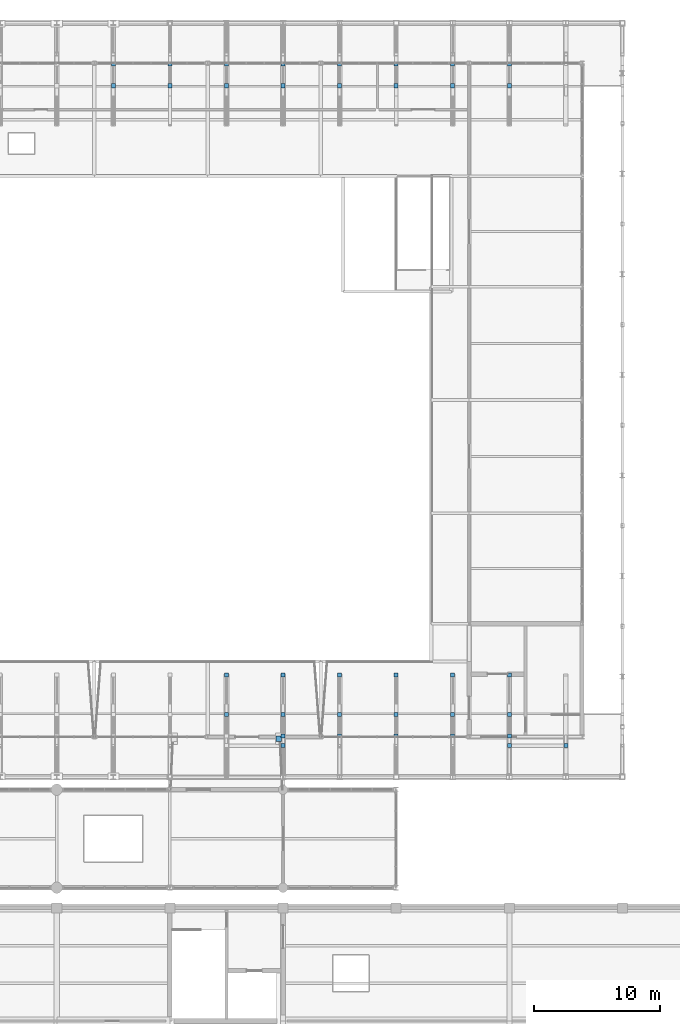
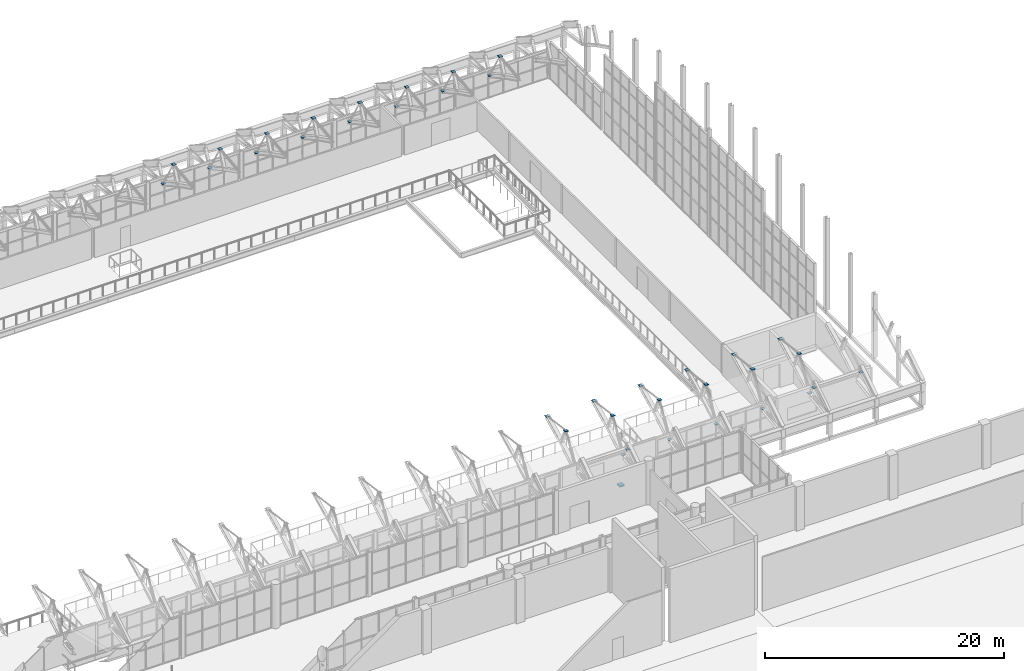
# One storey, part 126 of 134: 37 discrete accessories.
"""IFC4 building model written with IfcOpenShell, lengths in metres."""

from ifc_helpers import new_model, si_unit, direction, frame, origin, origin_2d, place, context, subcontext, project, spatial, rectangle, extrude, material, type_object, element, save


model = new_model("IFC4")

# Units and contexts
model_context = context("Model", 3, precision=1e-05, world=origin(), true_north=direction((0.0, 1.0)))
body_context = subcontext(model_context, "Body", "Model", "MODEL_VIEW")
ifc_project = project(units=[si_unit("LENGTHUNIT", "METRE"), si_unit("AREAUNIT", "SQUARE_METRE"), si_unit("VOLUMEUNIT", "CUBIC_METRE"), si_unit("PLANEANGLEUNIT", "RADIAN"), si_unit("MASSUNIT", "GRAM", prefix="KILO")], contexts=[model_context])

# Site, building, storey
site_placement = place(None, origin())
site = spatial("IfcSite", under=ifc_project, at=site_placement, CompositionType="ELEMENT")
building_placement = place(site_placement, origin())
building = spatial("IfcBuilding", under=site, at=building_placement, Name="Cazmaro Siding Exhibition Halls", CompositionType="ELEMENT")
storey_placement = place(building_placement, frame((0.0, 0.0, 12.0)))
storey = spatial("IfcBuildingStorey", under=building, at=storey_placement, Name="L02", CompositionType="ELEMENT", Elevation=12.0)

# Discrete accessories
ifc_material_1 = material(Name="PTFE Stainless Steel Elastomeric Bearing Assembly", Category="steel")
discrete_accessory_type_1 = type_object("IfcDiscreteAccessoryType", Name="SB-PTFE-01", PredefinedType="USERDEFINED", material=ifc_material_1)
discrete_accessory_placement = place(storey_placement, frame((143.64990234375, 67.050048828125, -0.571044921875), z_axis=(0.0, 0.0, 1.0), x_axis=(1.0, 0.0, 0.0)))
element("IfcDiscreteAccessory", 1, at=discrete_accessory_placement, inside=storey, type_object=discrete_accessory_type_1, Name="Unguided Bi-Directional PTFE Sliding Bearing SB-02 L02", ObjectType="SLIDING BEARING", PredefinedType="USERDEFINED", context=body_context, shape_type="SweptSolid", body=[
    extrude(rectangle(XDim=0.449951171875, YDim=0.449951171875, at=origin_2d()), origin(), (0.0, 0.0, 1.0), 0.1201171875),
])
ifc_material_2 = material(Name="Steel ASTM A572 Grade 50", Category="steel")
discrete_accessory_type_2 = type_object("IfcDiscreteAccessoryType", Name="GP-CONN-01", PredefinedType="BRACKET", material=ifc_material_2)
for number, where, z_axis, x_axis, name in (
    (2, (130.5, 119.0, 5.2861328125), (0.0, 0.0, 1.0), (1.0, 0.0, 0.0), "Welded Steel Brace Node Gusset Connection GP-01 0583"),
    (3, (130.5, 120.72900390625, 2.291015625), (0.0, 0.0, 1.0), (1.0, 0.0, 0.0), "Welded Steel Brace Node Gusset Connection GP-01 0584"),
    (4, (135.0, 119.0, 5.2861328125), (0.0, 0.0, 1.0), (1.0, 0.0, 0.0), "Welded Steel Brace Node Gusset Connection GP-01 0616"),
    (5, (135.0, 120.72900390625, 2.291015625), (0.0, 0.0, 1.0), (1.0, 0.0, 0.0), "Welded Steel Brace Node Gusset Connection GP-01 0617"),
    (6, (139.5, 69.0, 5.2861328125), (0.0, 0.0, 1.0), (1.0, 0.0, 0.0), "Welded Steel Brace Node Gusset Connection GP-01 0621"),
    (7, (139.5, 72.131103515625, 4.86376953125), (0.0, 0.0, 1.0), (1.0, 0.0, 0.0), "Welded Steel Brace Node Gusset Connection GP-01 0622"),
    (8, (139.5, 119.0, 5.2861328125), (0.0, 0.0, 1.0), (1.0, 0.0, 0.0), "Welded Steel Brace Node Gusset Connection GP-01 0643"),
    (9, (139.5, 120.72900390625, 2.291015625), (0.0, 0.0, 1.0), (1.0, 0.0, 0.0), "Welded Steel Brace Node Gusset Connection GP-01 0644"),
    (10, (144.0, 66.5, 3.337890625), (0.0, 0.0, 1.0), (1.0, 0.0, 0.0), "Welded Steel Brace Node Gusset Connection GP-01 0656"),
    (11, (144.0, 67.27099609375, 2.291015625), (0.0, 0.0, 1.0), (1.0, 0.0, 0.0), "Welded Steel Brace Node Gusset Connection GP-01 0657"),
    (12, (144.0, 69.0, 5.2861328125), (0.0, 0.0, 1.0), (1.0, 0.0, 0.0), "Welded Steel Brace Node Gusset Connection GP-01 0658"),
    (13, (144.0, 72.131103515625, 4.86376953125), (0.0, 0.0, 1.0), (1.0, 0.0, 0.0), "Welded Steel Brace Node Gusset Connection GP-01 0659"),
    (14, (144.0, 119.0, 5.2861328125), (0.0, 0.0, 1.0), (1.0, 0.0, 0.0), "Welded Steel Brace Node Gusset Connection GP-01 0680"),
    (15, (144.0, 120.72900390625, 2.291015625), (0.0, 0.0, 1.0), (1.0, 0.0, 0.0), "Welded Steel Brace Node Gusset Connection GP-01 0681"),
    (16, (148.5, 67.27099609375, 2.291015625), (0.0, 0.0, 1.0), (1.0, 0.0, 0.0), "Welded Steel Brace Node Gusset Connection GP-01 0682"),
    (17, (148.5, 69.0, 5.2861328125), (0.0, 0.0, 1.0), (1.0, 0.0, 0.0), "Welded Steel Brace Node Gusset Connection GP-01 0683"),
    (18, (148.5, 72.131103515625, 4.86376953125), (0.0, 0.0, 1.0), (1.0, 0.0, 0.0), "Welded Steel Brace Node Gusset Connection GP-01 0684"),
    (19, (148.5, 119.0, 5.2861328125), (0.0, 0.0, 1.0), (1.0, 0.0, 0.0), "Welded Steel Brace Node Gusset Connection GP-01 0702"),
    (20, (148.5, 120.72900390625, 2.291015625), (0.0, 0.0, 1.0), (1.0, 0.0, 0.0), "Welded Steel Brace Node Gusset Connection GP-01 0703"),
    (21, (153.0, 67.27099609375, 2.291015625), (0.0, 0.0, 1.0), (1.0, 0.0, 0.0), "Welded Steel Brace Node Gusset Connection GP-01 0715"),
    (22, (153.0, 69.0, 5.2861328125), (0.0, 0.0, 1.0), (1.0, 0.0, 0.0), "Welded Steel Brace Node Gusset Connection GP-01 0716"),
    (23, (153.0, 72.131103515625, 4.86376953125), (0.0, 0.0, 1.0), (1.0, 0.0, 0.0), "Welded Steel Brace Node Gusset Connection GP-01 0717"),
    (24, (153.0, 119.0, 5.2861328125), (0.0, 0.0, 1.0), (1.0, 0.0, 0.0), "Welded Steel Brace Node Gusset Connection GP-01 0735"),
    (25, (153.0, 120.72900390625, 2.291015625), (0.0, 0.0, 1.0), (1.0, 0.0, 0.0), "Welded Steel Brace Node Gusset Connection GP-01 0736"),
    (26, (157.5, 67.27099609375, 2.291015625), (0.0, 0.0, 1.0), (1.0, 0.0, 0.0), "Welded Steel Brace Node Gusset Connection GP-01 0737"),
    (27, (157.5, 69.0, 5.2861328125), (0.0, 0.0, 1.0), (1.0, 0.0, 0.0), "Welded Steel Brace Node Gusset Connection GP-01 0738"),
    (28, (157.5, 72.131103515625, 4.86376953125), (0.0, 0.0, 1.0), (1.0, 0.0, 0.0), "Welded Steel Brace Node Gusset Connection GP-01 0739"),
    (29, (157.5, 119.0, 5.2861328125), (0.0, 0.0, 1.0), (1.0, 0.0, 0.0), "Welded Steel Brace Node Gusset Connection GP-01 0757"),
    (30, (157.5, 120.72900390625, 2.291015625), (0.0, 0.0, 1.0), (1.0, 0.0, 0.0), "Welded Steel Brace Node Gusset Connection GP-01 0758"),
    (31, (162.0, 66.5, 3.337890625), (0.0, 0.0, 1.0), (1.0, 0.0, 0.0), "Welded Steel Brace Node Gusset Connection GP-01 0770"),
    (32, (162.0, 67.27099609375, 2.291015625), (0.0, 0.0, 1.0), (1.0, 0.0, 0.0), "Welded Steel Brace Node Gusset Connection GP-01 0771"),
    (33, (162.0, 69.0, 5.2861328125), (0.0, 0.0, 1.0), (1.0, 0.0, 0.0), "Welded Steel Brace Node Gusset Connection GP-01 0773"),
    (34, (162.0, 72.131103515625, 4.86376953125), (0.0, 0.0, 1.0), (1.0, 0.0, 0.0), "Welded Steel Brace Node Gusset Connection GP-01 0774"),
    (35, (162.0, 119.0, 5.2861328125), (0.0, 0.0, 1.0), (1.0, 0.0, 0.0), "Welded Steel Brace Node Gusset Connection GP-01 0795"),
    (36, (162.0, 120.72900390625, 2.291015625), (0.0, 0.0, 1.0), (1.0, 0.0, 0.0), "Welded Steel Brace Node Gusset Connection GP-01 0796"),
    (37, (166.5, 66.5, 3.337890625), (0.0, 0.0, 1.0), (1.0, 0.0, 0.0), "Welded Steel Brace Node Gusset Connection GP-01 0797"),
):
    element("IfcDiscreteAccessory", number, at=place(storey_placement, frame(where, z_axis=z_axis, x_axis=x_axis)), inside=storey, type_object=discrete_accessory_type_2, Name=name, PredefinedType="BRACKET", context=body_context, shape_type="SweptSolid", body=[
        extrude(rectangle(XDim=0.320068359375, YDim=0.320068359375, at=origin_2d()), origin(), (0.0, 0.0, 1.0), 0.030029296875),
    ])

save(model, "model.ifc")
